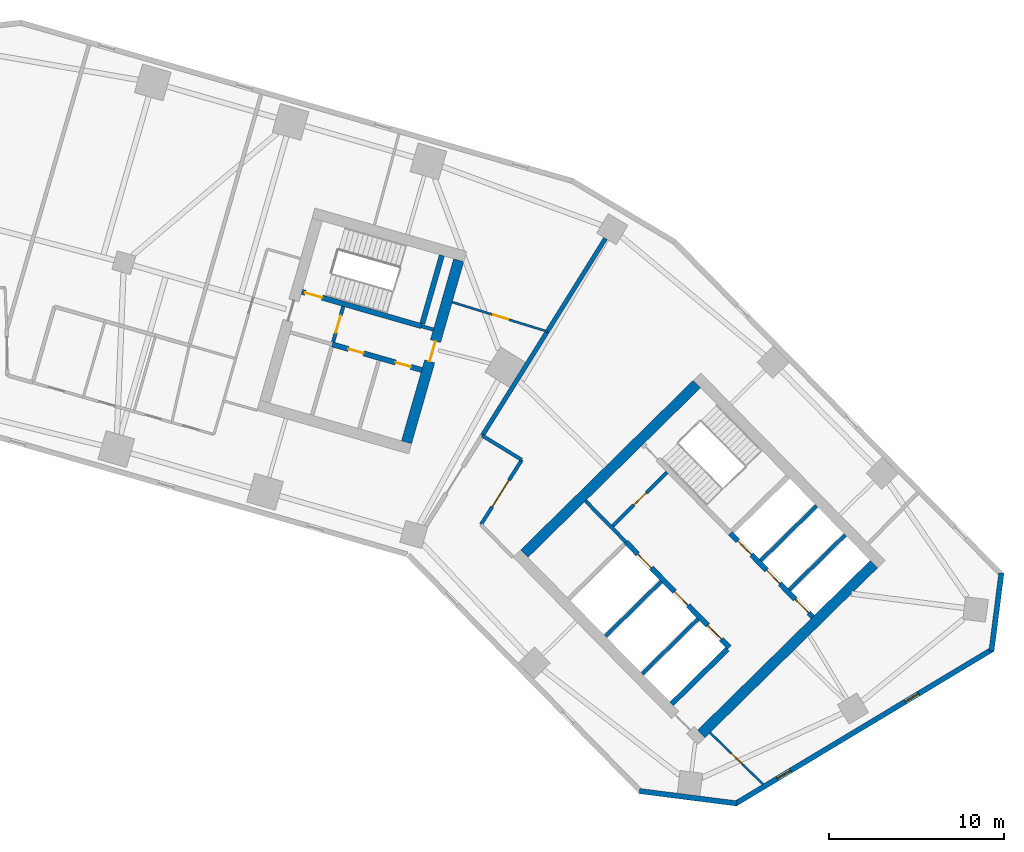
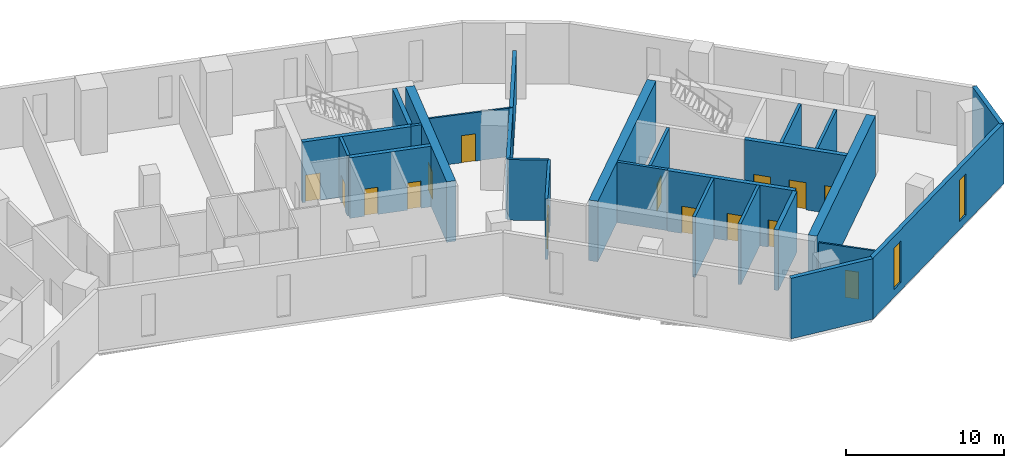
# One storey, part 6 of 10: 26 walls, 15 doors, 2 windows, 17 openings.
"""IFC4 building model written with IfcOpenShell, lengths in metres."""

from ifc_helpers import new_model, si_unit, direction, frame, frame_2d, origin, place, context, subcontext, project, spatial, rectangle, extrude, material, layer, layer_set, type_object, element, fill, save


model = new_model("IFC4")

# Units and contexts
model_context = context("Model", 3, precision=1e-05, world=origin(), true_north=direction((0.0, 1.0)))
body_context = subcontext(model_context, "Body", "Model", "MODEL_VIEW")
ifc_project = project(units=[si_unit("LENGTHUNIT", "METRE"), si_unit("AREAUNIT", "SQUARE_METRE"), si_unit("VOLUMEUNIT", "CUBIC_METRE"), si_unit("PLANEANGLEUNIT", "RADIAN"), si_unit("MASSUNIT", "GRAM", prefix="KILO")], contexts=[model_context])

# Site, building, storey
site_placement = place(None, origin())
site = spatial("IfcSite", under=ifc_project, at=site_placement, CompositionType="ELEMENT")
building_placement = place(site_placement, origin())
building = spatial("IfcBuilding", under=site, at=building_placement, Name="Binnacle Exchange Tower", CompositionType="ELEMENT")
storey_placement = place(building_placement, frame((0.0, 0.0, 71.5)))
storey = spatial("IfcBuildingStorey", under=building, at=storey_placement, Name="L14", CompositionType="ELEMENT", Elevation=71.5)

# Wall, openings, doors
ifc_material_1 = material(Name="Concrete C70/85", Category="concrete")
ifc_layer_1 = layer(ifc_material_1, 0.300048828125)
ifc_layer_set_1 = layer_set([ifc_layer_1], Name="Core wall - front 300")
wall_type_1 = type_object("IfcWallType", Name="Core wall - front 300", PredefinedType="SOLIDWALL", material=ifc_layer_set_1)
wall_1_placement = place(storey_placement, frame((37.8740234375, 41.41552734375, 0.0), z_axis=(0.0, 0.0, 1.0), x_axis=(0.700918271237, -0.71324159795, 0.0)))
wall_1 = element("IfcWall", 1, at=wall_1_placement, inside=storey, type_object=wall_type_1, Name="Core wall CRWB3", PredefinedType="SOLIDWALL", context=body_context, shape_type="SweptSolid", body=[
    extrude(rectangle(XDim=8.39990234375, YDim=0.300048828125, at=frame_2d((4.199951171875, 0.0))), origin(), (0.0, 0.0, 1.0), 4.679931640625),
])
opening_1_placement = place(wall_1_placement, frame((0.949951171875, 0.0, 0.0)))
opening_1 = element("IfcOpeningElement", 2, at=opening_1_placement, cuts=wall_1, Name="Opening LD15", PredefinedType="OPENING", context=body_context, shape_type="SweptSolid", body=[
    extrude(rectangle(XDim=1.10009765625, YDim=2.10009765625, at=frame_2d((0.550048828125, 1.050048828125))), frame((0.0, 0.159912109375, 0.0), z_axis=(0.0, -1.0, 0.0), x_axis=(1.0, 0.0, 0.0)), (0.0, 0.0, 1.0), 0.320068359375),
])
opening_2_placement = place(wall_1_placement, frame((3.949951171875, 0.0, 0.0)))
opening_2 = element("IfcOpeningElement", 3, at=opening_2_placement, cuts=wall_1, Name="Opening LD16", PredefinedType="OPENING", context=body_context, shape_type="SweptSolid", body=[
    extrude(rectangle(XDim=1.10009765625, YDim=2.10009765625, at=frame_2d((0.550048828125, 1.050048828125))), frame((0.0, 0.159912109375, 0.0), z_axis=(0.0, -1.0, 0.0), x_axis=(1.0, 0.0, 0.0)), (0.0, 0.0, 1.0), 0.320068359375),
])
opening_3_placement = place(wall_1_placement, frame((6.64990234375, 0.0, 0.0)))
opening_3 = element("IfcOpeningElement", 4, at=opening_3_placement, cuts=wall_1, Name="Opening LD4", PredefinedType="OPENING", context=body_context, shape_type="SweptSolid", body=[
    extrude(rectangle(XDim=1.10009765625, YDim=2.10009765625, at=frame_2d((0.550048828125, 1.050048828125))), frame((0.0, 0.159912109375, 0.0), z_axis=(0.0, -1.0, 0.0), x_axis=(1.0, 0.0, 0.0)), (0.0, 0.0, 1.0), 0.320068359375),
])
ifc_material_2 = material(Name="Steel door leaf", Category="steel")
door_type_1 = type_object("IfcDoorType", Name="Fire door - lift landing 1100", OperationType="NOTDEFINED", PredefinedType="DOOR", material=ifc_material_2)
door_1_placement = place(opening_1_placement, origin())
door_1 = element("IfcDoor", 5, at=door_1_placement, inside=storey, type_object=door_type_1, Name="Landing door LD15 L14", OperationType="DOUBLE_DOOR_SLIDING", OverallHeight=2.10009765625, OverallWidth=1.10009765625, PredefinedType="DOOR", context=body_context, shape_type="SweptSolid", body=[
    extrude(rectangle(XDim=1.10009765625, YDim=2.10009765625, at=frame_2d((0.550048828125, 1.050048828125))), frame((0.0, 0.02490234375, 0.0), z_axis=(0.0, -1.0, 0.0), x_axis=(1.0, 0.0, 0.0)), (0.0, 0.0, 1.0), 0.050048828125),
])
fill(opening_1, door_1)
door_2_placement = place(opening_2_placement, origin())
door_2 = element("IfcDoor", 6, at=door_2_placement, inside=storey, type_object=door_type_1, Name="Landing door LD16 L14", OperationType="DOUBLE_DOOR_SLIDING", OverallHeight=2.10009765625, OverallWidth=1.10009765625, PredefinedType="DOOR", context=body_context, shape_type="SweptSolid", body=[
    extrude(rectangle(XDim=1.10009765625, YDim=2.10009765625, at=frame_2d((0.550048828125, 1.050048828125))), frame((0.0, 0.02490234375, 0.0), z_axis=(0.0, -1.0, 0.0), x_axis=(1.0, 0.0, 0.0)), (0.0, 0.0, 1.0), 0.050048828125),
])
fill(opening_2, door_2)
door_3_placement = place(opening_3_placement, origin())
door_3 = element("IfcDoor", 7, at=door_3_placement, inside=storey, type_object=door_type_1, Name="Landing door LD4 L14", OperationType="DOUBLE_DOOR_SLIDING", OverallHeight=2.10009765625, OverallWidth=1.10009765625, PredefinedType="DOOR", context=body_context, shape_type="SweptSolid", body=[
    extrude(rectangle(XDim=1.10009765625, YDim=2.10009765625, at=frame_2d((0.550048828125, 1.050048828125))), frame((0.0, 0.02490234375, 0.0), z_axis=(0.0, -1.0, 0.0), x_axis=(1.0, 0.0, 0.0)), (0.0, 0.0, 1.0), 0.050048828125),
])
fill(opening_3, door_3)

wall_2_placement = place(storey_placement, frame((43.818603515625, 41.92919921875, 0.0), z_axis=(0.0, 0.0, 1.0), x_axis=(0.700921619155, -0.713238307862, 0.0)))
wall_2 = element("IfcWall", 8, at=wall_2_placement, inside=storey, type_object=wall_type_1, Name="Core wall CRWB5", PredefinedType="SOLIDWALL", context=body_context, shape_type="SweptSolid", body=[
    extrude(rectangle(XDim=6.69970703125, YDim=0.300048828125, at=frame_2d((3.349853515625, 0.0))), origin(), (0.0, 0.0, 1.0), 4.679931640625),
])
opening_4_placement = place(wall_2_placement, frame((0.614990234375, 0.0, 0.0)))
opening_4 = element("IfcOpeningElement", 9, at=opening_4_placement, cuts=wall_2, Name="Opening LD1", PredefinedType="OPENING", context=body_context, shape_type="SweptSolid", body=[
    extrude(rectangle(XDim=1.10009765625, YDim=2.10009765625, at=frame_2d((0.550048828125, 1.050048828125))), frame((0.0, 0.159912109375, 0.0), z_axis=(0.0, -1.0, 0.0), x_axis=(1.0, 0.0, 0.0)), (0.0, 0.0, 1.0), 0.320068359375),
])
opening_5_placement = place(wall_2_placement, frame((2.945068359375, 0.0, 0.0)))
opening_5 = element("IfcOpeningElement", 10, at=opening_5_placement, cuts=wall_2, Name="Opening LD2", PredefinedType="OPENING", context=body_context, shape_type="SweptSolid", body=[
    extrude(rectangle(XDim=1.10009765625, YDim=2.10009765625, at=frame_2d((0.550048828125, 1.050048828125))), frame((0.0, 0.159912109375, 0.0), z_axis=(0.0, -1.0, 0.0), x_axis=(1.0, 0.0, 0.0)), (0.0, 0.0, 1.0), 0.320068359375),
])
opening_6_placement = place(wall_2_placement, frame((5.280029296875, 0.0, 0.0)))
opening_6 = element("IfcOpeningElement", 11, at=opening_6_placement, cuts=wall_2, Name="Opening LD3", PredefinedType="OPENING", context=body_context, shape_type="SweptSolid", body=[
    extrude(rectangle(XDim=1.10009765625, YDim=2.10009765625, at=frame_2d((0.550048828125, 1.050048828125))), frame((0.0, 0.159912109375, 0.0), z_axis=(0.0, -1.0, 0.0), x_axis=(1.0, 0.0, 0.0)), (0.0, 0.0, 1.0), 0.320068359375),
])
door_4_placement = place(opening_4_placement, origin())
door_4 = element("IfcDoor", 12, at=door_4_placement, inside=storey, type_object=door_type_1, Name="Landing door LD1 L14", OperationType="DOUBLE_DOOR_SLIDING", OverallHeight=2.10009765625, OverallWidth=1.10009765625, PredefinedType="DOOR", context=body_context, shape_type="SweptSolid", body=[
    extrude(rectangle(XDim=1.10009765625, YDim=2.10009765625, at=frame_2d((0.550048828125, 1.050048828125))), frame((0.0, 0.02490234375, 0.0), z_axis=(0.0, -1.0, 0.0), x_axis=(1.0, 0.0, 0.0)), (0.0, 0.0, 1.0), 0.050048828125),
])
fill(opening_4, door_4)
door_5_placement = place(opening_5_placement, origin())
door_5 = element("IfcDoor", 13, at=door_5_placement, inside=storey, type_object=door_type_1, Name="Landing door LD2 L14", OperationType="DOUBLE_DOOR_SLIDING", OverallHeight=2.10009765625, OverallWidth=1.10009765625, PredefinedType="DOOR", context=body_context, shape_type="SweptSolid", body=[
    extrude(rectangle(XDim=1.10009765625, YDim=2.10009765625, at=frame_2d((0.550048828125, 1.050048828125))), frame((0.0, 0.02490234375, 0.0), z_axis=(0.0, -1.0, 0.0), x_axis=(1.0, 0.0, 0.0)), (0.0, 0.0, 1.0), 0.050048828125),
])
fill(opening_5, door_5)
door_6_placement = place(opening_6_placement, origin())
door_6 = element("IfcDoor", 14, at=door_6_placement, inside=storey, type_object=door_type_1, Name="Landing door LD3 L14", OperationType="DOUBLE_DOOR_SLIDING", OverallHeight=2.10009765625, OverallWidth=1.10009765625, PredefinedType="DOOR", context=body_context, shape_type="SweptSolid", body=[
    extrude(rectangle(XDim=1.10009765625, YDim=2.10009765625, at=frame_2d((0.550048828125, 1.050048828125))), frame((0.0, 0.02490234375, 0.0), z_axis=(0.0, -1.0, 0.0), x_axis=(1.0, 0.0, 0.0)), (0.0, 0.0, 1.0), 0.050048828125),
])
fill(opening_6, door_6)

# Wall
wall_3_placement = place(storey_placement, frame((40.480712890625, 32.199951171875, 0.0), z_axis=(0.0, 0.0, 1.0), x_axis=(0.713251741427, 0.700907949271, 0.0)))
element("IfcWall", 15, at=wall_3_placement, inside=storey, type_object=wall_type_1, Name="Core wall CRWB14", PredefinedType="SOLIDWALL", context=body_context, shape_type="SweptSolid", body=[
    extrude(rectangle(XDim=4.4501953125, YDim=0.300048828125, at=frame_2d((2.22509765625, 0.0))), origin(), (0.0, 0.0, 1.0), 4.679931640625),
])

# Wall, openings, doors
wall_4_placement = place(storey_placement, frame((21.130859375, 52.6923828125, 0.0), z_axis=(0.0, 0.0, 1.0), x_axis=(0.961271492568, -0.275603188616, 0.0)))
wall_4 = element("IfcWall", 16, at=wall_4_placement, inside=storey, type_object=wall_type_1, Name="Core wall CRWD3", PredefinedType="SOLIDWALL", context=body_context, shape_type="SweptSolid", body=[
    extrude(rectangle(XDim=5.300048828125, YDim=0.300048828125, at=frame_2d((2.64990234375, 0.0))), origin(), (0.0, 0.0, 1.0), 4.679931640625),
])
opening_7_placement = place(wall_4_placement, frame((0.949951171875, 0.0, 0.0)))
opening_7 = element("IfcOpeningElement", 17, at=opening_7_placement, cuts=wall_4, Name="Opening DD10", PredefinedType="OPENING", context=body_context, shape_type="SweptSolid", body=[
    extrude(rectangle(XDim=0.89990234375, YDim=2.10009765625, at=frame_2d((0.449951171875, 1.050048828125))), frame((0.0, 0.159912109375, 0.0), z_axis=(0.0, -1.0, 0.0), x_axis=(1.0, 0.0, 0.0)), (0.0, 0.0, 1.0), 0.320068359375),
])
opening_8_placement = place(wall_4_placement, frame((3.75, 0.0, 0.0)))
opening_8 = element("IfcOpeningElement", 18, at=opening_8_placement, cuts=wall_4, Name="Opening DD11", PredefinedType="OPENING", context=body_context, shape_type="SweptSolid", body=[
    extrude(rectangle(XDim=0.89990234375, YDim=2.10009765625, at=frame_2d((0.449951171875, 1.050048828125))), frame((0.0, 0.159912109375, 0.0), z_axis=(0.0, -1.0, 0.0), x_axis=(1.0, 0.0, 0.0)), (0.0, 0.0, 1.0), 0.320068359375),
])
door_type_2 = type_object("IfcDoorType", Name="Fire door 900", OperationType="NOTDEFINED", PredefinedType="DOOR", material=ifc_material_2)
door_7_placement = place(opening_7_placement, frame((0.89990234375, 0.0, 0.0), z_axis=(0.0, 0.0, 1.0), x_axis=(-1.0, 0.0, 0.0)))
door_7 = element("IfcDoor", 19, at=door_7_placement, inside=storey, type_object=door_type_2, Name="Core room door COMMS RISER ROOM", OperationType="SINGLE_SWING_RIGHT", OverallHeight=2.10009765625, OverallWidth=0.89990234375, PredefinedType="DOOR", context=body_context, shape_type="SweptSolid", body=[
    extrude(rectangle(XDim=0.89990234375, YDim=2.10009765625, at=frame_2d((0.449951171875, 1.050048828125))), frame((0.0, 0.02490234375, 0.0), z_axis=(0.0, -1.0, 0.0), x_axis=(1.0, 0.0, 0.0)), (0.0, 0.0, 1.0), 0.050048828125),
])
fill(opening_7, door_7)
door_8_placement = place(opening_8_placement, frame((0.89990234375, 0.0, 0.0), z_axis=(0.0, 0.0, 1.0), x_axis=(-1.0, 0.0, 0.0)))
door_8 = element("IfcDoor", 20, at=door_8_placement, inside=storey, type_object=door_type_2, Name="Core room door CLEANERS STORE", OperationType="SINGLE_SWING_LEFT", OverallHeight=2.10009765625, OverallWidth=0.89990234375, PredefinedType="DOOR", context=body_context, shape_type="SweptSolid", body=[
    extrude(rectangle(XDim=0.89990234375, YDim=2.10009765625, at=frame_2d((0.449951171875, 1.050048828125))), frame((0.0, 0.02490234375, 0.0), z_axis=(0.0, -1.0, 0.0), x_axis=(1.0, 0.0, 0.0)), (0.0, 0.0, 1.0), 0.050048828125),
])
fill(opening_8, door_8)

# Walls
ifc_layer_2 = layer(ifc_material_1, 0.60009765625)
ifc_layer_set_2 = layer_set([ifc_layer_2], Name="Core wall - outer 600")
wall_type_2 = type_object("IfcWallType", Name="Core wall - outer 600", PredefinedType="SOLIDWALL", material=ifc_layer_set_2)
for number, where, z_axis, x_axis, name in (
    (21, (32.06982421875, 40.759033203125, 0.0), (0.0, 0.0, 1.0), (0.713245344712, 0.70091445858, 0.0), "Core wall CRWB7"),
    (22, (42.1630859375, 30.48828125, 0.0), (0.0, 0.0, 1.0), (0.713245344712, 0.70091445858, 0.0), "Core wall CRWB16"),
):
    element("IfcWall", number, at=place(storey_placement, frame(where, z_axis=z_axis, x_axis=x_axis)), inside=storey, type_object=wall_type_2, Name=name, PredefinedType="SOLIDWALL", context=body_context, shape_type="SweptSolid", body=[
        extrude(rectangle(XDim=13.800048828125, YDim=0.60009765625, at=frame_2d((6.89990234375, 0.0))), origin(), (0.0, 0.0, 1.0), 4.679931640625),
    ])

# Wall, opening, door
wall_5_placement = place(storey_placement, frame((25.356201171875, 47.111572265625, 0.0), z_axis=(0.0, 0.0, 1.0), x_axis=(0.275631631629, 0.961263337304, 0.0)))
wall_5 = element("IfcWall", 23, at=wall_5_placement, inside=storey, type_object=wall_type_2, Name="Core wall CRWD12", PredefinedType="SOLIDWALL", context=body_context, shape_type="SweptSolid", body=[
    extrude(rectangle(XDim=10.800048828125, YDim=0.60009765625, at=frame_2d((5.39990234375, 0.0))), origin(), (0.0, 0.0, 1.0), 4.679931640625),
])
opening_9_placement = place(wall_5_placement, frame((4.800048828125, 0.0, 0.0)))
opening_9 = element("IfcOpeningElement", 24, at=opening_9_placement, cuts=wall_5, Name="Opening DD6", PredefinedType="OPENING", context=body_context, shape_type="SweptSolid", body=[
    extrude(rectangle(XDim=1.199951171875, YDim=2.10009765625, at=frame_2d((0.60009765625, 1.050048828125))), frame((0.0, 0.31005859375, 0.0), z_axis=(0.0, -1.0, 0.0), x_axis=(1.0, 0.0, 0.0)), (0.0, 0.0, 1.0), 0.6201171875),
])
door_type_3 = type_object("IfcDoorType", Name="Fire door 1200", OperationType="NOTDEFINED", PredefinedType="DOOR", material=ifc_material_2)
door_9_placement = place(opening_9_placement, frame((1.199951171875, 0.0, 0.0), z_axis=(0.0, 0.0, 1.0), x_axis=(-1.0, 0.0, 0.0)))
door_9 = element("IfcDoor", 25, at=door_9_placement, inside=storey, type_object=door_type_3, Name="Core passage exit door", OperationType="SINGLE_SWING_LEFT", OverallHeight=2.10009765625, OverallWidth=1.199951171875, PredefinedType="DOOR", context=body_context, shape_type="SweptSolid", body=[
    extrude(rectangle(XDim=1.199951171875, YDim=2.10009765625, at=frame_2d((0.60009765625, 1.050048828125))), frame((0.0, 0.02490234375, 0.0), z_axis=(0.0, -1.0, 0.0), x_axis=(1.0, 0.0, 0.0)), (0.0, 0.0, 1.0), 0.050048828125),
])
fill(opening_9, door_9)

ifc_layer_3 = layer(ifc_material_1, 0.300048828125)
ifc_layer_set_3 = layer_set([ifc_layer_3], Name="Core wall - stair 300")
wall_type_3 = type_object("IfcWallType", Name="Core wall - stair 300", PredefinedType="SOLIDWALL", material=ifc_layer_set_3)
wall_6_placement = place(storey_placement, frame((19.38916015625, 55.688720703125, 0.0), z_axis=(0.0, 0.0, 1.0), x_axis=(0.961261397636, -0.275638396117, 0.0)))
wall_6 = element("IfcWall", 26, at=wall_6_placement, inside=storey, type_object=wall_type_3, Name="Core wall CRWD4", PredefinedType="SOLIDWALL", context=body_context, shape_type="SweptSolid", body=[
    extrude(rectangle(XDim=7.10009765625, YDim=0.300048828125, at=frame_2d((3.550048828125, 0.0))), origin(), (0.0, 0.0, 1.0), 4.679931640625),
])
opening_10_placement = place(wall_6_placement, frame((0.199951171875, 0.0, 0.0)))
opening_10 = element("IfcOpeningElement", 27, at=opening_10_placement, cuts=wall_6, Name="Opening DD1", PredefinedType="OPENING", context=body_context, shape_type="SweptSolid", body=[
    extrude(rectangle(XDim=1.0, YDim=2.10009765625, at=frame_2d((0.5, 1.050048828125))), frame((0.0, 0.159912109375, 0.0), z_axis=(0.0, -1.0, 0.0), x_axis=(1.0, 0.0, 0.0)), (0.0, 0.0, 1.0), 0.320068359375),
])
door_type_4 = type_object("IfcDoorType", Name="Fire door 1000", OperationType="NOTDEFINED", PredefinedType="DOOR", material=ifc_material_2)
door_10_placement = place(opening_10_placement, origin())
door_10 = element("IfcDoor", 28, at=door_10_placement, inside=storey, type_object=door_type_4, Name="Stair door ST-D1", OperationType="SINGLE_SWING_LEFT", OverallHeight=2.10009765625, OverallWidth=1.0, PredefinedType="DOOR", context=body_context, shape_type="SweptSolid", body=[
    extrude(rectangle(XDim=1.0, YDim=2.10009765625, at=frame_2d((0.5, 1.050048828125))), frame((0.0, 0.02490234375, 0.0), z_axis=(0.0, -1.0, 0.0), x_axis=(1.0, 0.0, 0.0)), (0.0, 0.0, 1.0), 0.050048828125),
])
fill(opening_10, door_10)

# Walls
wall_7_placement = place(storey_placement, frame((26.255615234375, 53.875732421875, 0.0), z_axis=(0.0, 0.0, 1.0), x_axis=(0.275612739511, 0.961268754209, 0.0)))
element("IfcWall", 29, at=wall_7_placement, inside=storey, type_object=wall_type_3, Name="Core wall CRWD11", PredefinedType="SOLIDWALL", context=body_context, shape_type="SweptSolid", body=[
    extrude(rectangle(XDim=4.0498046875, YDim=0.300048828125, at=frame_2d((2.02490234375, 0.0))), origin(), (0.0, 0.0, 1.0), 4.679931640625),
])
ifc_material_3 = material(Name="Bronze aluminium cladding", Category="aluminium")
ifc_layer_4 = layer(ifc_material_3, 0.300048828125)
ifc_layer_set_4 = layer_set([ifc_layer_4], Name="External wall - spandrel 300")
wall_type_4 = type_object("IfcWallType", Name="External wall - spandrel 300", PredefinedType="STANDARD", material=ifc_layer_set_4)
wall_8_placement = place(storey_placement, frame((44.19580078125, 26.517822265625, 0.0), z_axis=(0.0, 0.0, 1.0), x_axis=(-0.992001881269, 0.126223086474, 0.0)))
element("IfcWall", 30, at=wall_8_placement, inside=storey, type_object=wall_type_4, Name="External wall EW-F10 L14", PredefinedType="STANDARD", context=body_context, shape_type="SweptSolid", body=[
    extrude(rectangle(XDim=5.6015625, YDim=0.300048828125, at=frame_2d((2.80078125, 0.0))), origin(), (0.0, 0.0, 1.0), 4.679931640625),
])

# Wall, openings, windows
wall_9_placement = place(storey_placement, frame((58.7783203125, 35.317626953125, 0.0), z_axis=(0.0, 0.0, 1.0), x_axis=(-0.857168206138, -0.515036568009, 0.0)))
wall_9 = element("IfcWall", 31, at=wall_9_placement, inside=storey, type_object=wall_type_4, Name="External wall EW-F11 L14", PredefinedType="STANDARD", context=body_context, shape_type="SweptSolid", body=[
    extrude(rectangle(XDim=17.124755859375, YDim=0.300048828125, at=frame_2d((8.5625, 0.0))), origin(), (0.0, 0.0, 1.0), 4.679931640625),
])
opening_11_placement = place(wall_9_placement, frame((13.435302734375, 0.0, 0.60009765625)))
opening_11 = element("IfcOpeningElement", 32, at=opening_11_placement, cuts=wall_9, Name="Opening WS1", PredefinedType="OPENING", context=body_context, shape_type="SweptSolid", body=[
    extrude(rectangle(XDim=0.89990234375, YDim=3.199951171875, at=frame_2d((0.449951171875, 1.60009765625))), frame((0.0, 0.159912109375, 0.0), z_axis=(0.0, -1.0, 0.0), x_axis=(1.0, 0.0, 0.0)), (0.0, 0.0, 1.0), 0.320068359375),
])
opening_12_placement = place(wall_9_placement, frame((4.935302734375, 0.0, 0.60009765625)))
opening_12 = element("IfcOpeningElement", 33, at=opening_12_placement, cuts=wall_9, Name="Opening WS1", PredefinedType="OPENING", context=body_context, shape_type="SweptSolid", body=[
    extrude(rectangle(XDim=0.89990234375, YDim=3.199951171875, at=frame_2d((0.449951171875, 1.60009765625))), frame((0.0, 0.159912109375, 0.0), z_axis=(0.0, -1.0, 0.0), x_axis=(1.0, 0.0, 0.0)), (0.0, 0.0, 1.0), 0.320068359375),
])
ifc_material_4 = material(Name="Bronze anodised aluminium frame", Category="aluminium")
window_type = type_object("IfcWindowType", Name="WS1 WINDOW 900x3200", PartitioningType="SINGLE_PANEL", PredefinedType="WINDOW", material=ifc_material_4)
window_1_placement = place(opening_11_placement, origin())
window_1 = element("IfcWindow", 34, at=window_1_placement, inside=storey, type_object=window_type, Name="Window WS1 L14", OverallHeight=3.199951171875, OverallWidth=0.89990234375, PartitioningType="SINGLE_PANEL", PredefinedType="WINDOW", context=body_context, shape_type="SweptSolid", body=[
    extrude(rectangle(XDim=0.89990234375, YDim=3.199951171875, at=frame_2d((0.449951171875, 1.60009765625))), frame((0.0, 0.030029296875, 0.0), z_axis=(0.0, -1.0, 0.0), x_axis=(1.0, 0.0, 0.0)), (0.0, 0.0, 1.0), 0.06005859375),
])
fill(opening_11, window_1)
window_2_placement = place(opening_12_placement, origin())
window_2 = element("IfcWindow", 35, at=window_2_placement, inside=storey, type_object=window_type, Name="Window WS1 L14", OverallHeight=3.199951171875, OverallWidth=0.89990234375, PartitioningType="SINGLE_PANEL", PredefinedType="WINDOW", context=body_context, shape_type="SweptSolid", body=[
    extrude(rectangle(XDim=0.89990234375, YDim=3.199951171875, at=frame_2d((0.449951171875, 1.60009765625))), frame((0.0, 0.030029296875, 0.0), z_axis=(0.0, -1.0, 0.0), x_axis=(1.0, 0.0, 0.0)), (0.0, 0.0, 1.0), 0.06005859375),
])
fill(opening_12, window_2)

# Wall
wall_10_placement = place(storey_placement, frame((59.27197265625, 39.6513671875, 0.0), z_axis=(0.0, 0.0, 1.0), x_axis=(-0.126181137886, -0.992007217938, 0.0)))
element("IfcWall", 36, at=wall_10_placement, inside=storey, type_object=wall_type_4, Name="External wall EW-F12 L14", PredefinedType="STANDARD", context=body_context, shape_type="SweptSolid", body=[
    extrude(rectangle(XDim=4.479248046875, YDim=0.300048828125, at=frame_2d((2.23974609375, 0.0))), origin(), (0.0, 0.0, 1.0), 4.679931640625),
])

# Wall, opening, door
ifc_material_5 = material(Name="Masonry block wall", Category="masonry")
ifc_layer_5 = layer(ifc_material_5, 0.199951171875)
ifc_layer_set_5 = layer_set([ifc_layer_5], Name="Fire wall - block 200")
wall_type_5 = type_object("IfcWallType", Name="Fire wall - block 200", PredefinedType="PARTITIONING", material=ifc_layer_set_5)
wall_11_placement = place(storey_placement, frame((29.60009765625, 42.416015625, 0.0), z_axis=(0.0, 0.0, 1.0), x_axis=(0.533582711531, 0.84574788794, 0.0)))
wall_11 = element("IfcWall", 37, at=wall_11_placement, inside=storey, type_object=wall_type_5, Name="Partition W39", PredefinedType="PARTITIONING", context=body_context, shape_type="SweptSolid", body=[
    extrude(rectangle(XDim=4.366455078125, YDim=0.199951171875, at=frame_2d((2.18310546875, 0.0))), origin(), (0.0, 0.0, 1.0), 4.679931640625),
])
opening_13_placement = place(wall_11_placement, frame((1.199951171875, 0.0, 0.0)))
opening_13 = element("IfcOpeningElement", 38, at=opening_13_placement, cuts=wall_11, Name="Opening DL14-12", PredefinedType="OPENING", context=body_context, shape_type="SweptSolid", body=[
    extrude(rectangle(XDim=1.800048828125, YDim=2.10009765625, at=frame_2d((0.89990234375, 1.050048828125))), frame((0.0, 0.10986328125, 0.0), z_axis=(0.0, -1.0, 0.0), x_axis=(1.0, 0.0, 0.0)), (0.0, 0.0, 1.0), 0.219970703125),
])
door_type_5 = type_object("IfcDoorType", Name="Fire door 1800", OperationType="NOTDEFINED", PredefinedType="DOOR", material=ifc_material_2)
door_11_placement = place(opening_13_placement, frame((1.800048828125, 0.0, 0.0), z_axis=(0.0, 0.0, 1.0), x_axis=(-1.0, 0.0, 0.0)))
door_11 = element("IfcDoor", 39, at=door_11_placement, inside=storey, type_object=door_type_5, Name="Door DL14-12", OperationType="DOUBLE_DOOR_SINGLE_SWING", OverallHeight=2.10009765625, OverallWidth=1.800048828125, PredefinedType="DOOR", context=body_context, shape_type="SweptSolid", body=[
    extrude(rectangle(XDim=1.800048828125, YDim=2.10009765625, at=frame_2d((0.89990234375, 1.050048828125))), frame((0.0, 0.02490234375, 0.0), z_axis=(0.0, -1.0, 0.0), x_axis=(1.0, 0.0, 0.0)), (0.0, 0.0, 1.0), 0.050048828125),
])
fill(opening_13, door_11)

# Walls
wall_12_placement = place(storey_placement, frame((29.675048828125, 47.490966796875, 0.0), z_axis=(0.0, 0.0, 1.0), x_axis=(0.852591965232, -0.522577210392, 0.0)))
element("IfcWall", 40, at=wall_12_placement, inside=storey, type_object=wall_type_5, Name="Partition W40", PredefinedType="PARTITIONING", context=body_context, shape_type="SweptSolid", body=[
    extrude(rectangle(XDim=2.644775390625, YDim=0.199951171875, at=frame_2d((1.322265625, 0.0))), origin(), (0.0, 0.0, 1.0), 4.679931640625),
])
ifc_material_6 = material(Name="Concrete fire wall C30/37", Category="concrete")
ifc_layer_6 = layer(ifc_material_6, 0.25)
ifc_layer_set_6 = layer_set([ifc_layer_6], Name="Fire wall - compartment 250")
wall_type_6 = type_object("IfcWallType", Name="Fire wall - compartment 250", PredefinedType="PARTITIONING", material=ifc_layer_set_6)
wall_13_placement = place(storey_placement, frame((29.675048828125, 47.490966796875, 0.0), z_axis=(0.0, 0.0, 1.0), x_axis=(0.529992669945, 0.848002222759, 0.0)))
element("IfcWall", 41, at=wall_13_placement, inside=storey, type_object=wall_type_6, Name="Fire Wall W41", PredefinedType="PARTITIONING", context=body_context, shape_type="SweptSolid", body=[
    extrude(rectangle(XDim=7.0, YDim=0.25, at=frame_2d((3.5, 0.0))), origin(), (0.0, 0.0, 1.0), 3.741943359375),
])
wall_14_placement = place(storey_placement, frame((33.385009765625, 53.427001953125, 0.0), z_axis=(0.0, 0.0, 1.0), x_axis=(0.529897235032, 0.848061861131, 0.0)))
element("IfcWall", 42, at=wall_14_placement, inside=storey, type_object=wall_type_6, Name="Fire Wall W42", PredefinedType="PARTITIONING", context=body_context, shape_type="SweptSolid", body=[
    extrude(rectangle(XDim=6.257568359375, YDim=0.25, at=frame_2d((3.12890625, 0.0))), origin(), (0.0, 0.0, 1.0), 3.741943359375),
])

# Wall, opening, door
ifc_layer_7 = layer(ifc_material_5, 0.199951171875)
ifc_layer_set_7 = layer_set([ifc_layer_7], Name="Fire wall - vestibule 200")
wall_type_7 = type_object("IfcWallType", Name="Fire wall - vestibule 200", PredefinedType="PARTITIONING", material=ifc_layer_set_7)
wall_15_placement = place(storey_placement, frame((37.104248046875, 42.341552734375, 0.0), z_axis=(0.0, 0.0, 1.0), x_axis=(0.713281298468, 0.700877870428, 0.0)))
wall_15 = element("IfcWall", 43, at=wall_15_placement, inside=storey, type_object=wall_type_7, Name="Core wall CRWB8", PredefinedType="PARTITIONING", context=body_context, shape_type="SweptSolid", body=[
    extrude(rectangle(XDim=4.35009765625, YDim=0.199951171875, at=frame_2d((2.175048828125, 0.0))), origin(), (0.0, 0.0, 1.0), 4.679931640625),
])
opening_14_placement = place(wall_15_placement, frame((1.699951171875, 0.0, 0.0)))
opening_14 = element("IfcOpeningElement", 44, at=opening_14_placement, cuts=wall_15, Name="Opening DB3", PredefinedType="OPENING", context=body_context, shape_type="SweptSolid", body=[
    extrude(rectangle(XDim=1.0, YDim=2.10009765625, at=frame_2d((0.5, 1.050048828125))), frame((0.0, 0.10986328125, 0.0), z_axis=(0.0, -1.0, 0.0), x_axis=(1.0, 0.0, 0.0)), (0.0, 0.0, 1.0), 0.219970703125),
])
door_12_placement = place(opening_14_placement, origin())
door_12 = element("IfcDoor", 45, at=door_12_placement, inside=storey, type_object=door_type_4, Name="Vestibule door VEST-W", OperationType="SINGLE_SWING_RIGHT", OverallHeight=2.10009765625, OverallWidth=1.0, PredefinedType="DOOR", context=body_context, shape_type="SweptSolid", body=[
    extrude(rectangle(XDim=1.0, YDim=2.10009765625, at=frame_2d((0.5, 1.050048828125))), frame((0.0, 0.02490234375, 0.0), z_axis=(0.0, -1.0, 0.0), x_axis=(1.0, 0.0, 0.0)), (0.0, 0.0, 1.0), 0.050048828125),
])
fill(opening_14, door_12)

wall_16_placement = place(storey_placement, frame((21.172119140625, 52.836669921875, 0.0), z_axis=(0.0, 0.0, 1.0), x_axis=(0.275657676022, 0.961255868981, 0.0)))
wall_16 = element("IfcWall", 46, at=wall_16_placement, inside=storey, type_object=wall_type_7, Name="Core wall CRWD9", PredefinedType="PARTITIONING", context=body_context, shape_type="SweptSolid", body=[
    extrude(rectangle(XDim=2.099853515625, YDim=0.199951171875, at=frame_2d((1.0498046875, 0.0))), origin(), (0.0, 0.0, 1.0), 4.679931640625),
])
opening_15_placement = place(wall_16_placement, frame((0.550048828125, 0.0, 0.0)))
opening_15 = element("IfcOpeningElement", 47, at=opening_15_placement, cuts=wall_16, Name="Opening DD3", PredefinedType="OPENING", context=body_context, shape_type="SweptSolid", body=[
    extrude(rectangle(XDim=1.0, YDim=2.10009765625, at=frame_2d((0.5, 1.050048828125))), frame((0.0, 0.10986328125, 0.0), z_axis=(0.0, -1.0, 0.0), x_axis=(1.0, 0.0, 0.0)), (0.0, 0.0, 1.0), 0.219970703125),
])
door_13_placement = place(opening_15_placement, origin())
door_13 = element("IfcDoor", 48, at=door_13_placement, inside=storey, type_object=door_type_4, Name="Vestibule door VEST-W", OperationType="SINGLE_SWING_RIGHT", OverallHeight=2.10009765625, OverallWidth=1.0, PredefinedType="DOOR", context=body_context, shape_type="SweptSolid", body=[
    extrude(rectangle(XDim=1.0, YDim=2.10009765625, at=frame_2d((0.5, 1.050048828125))), frame((0.0, 0.02490234375, 0.0), z_axis=(0.0, -1.0, 0.0), x_axis=(1.0, 0.0, 0.0)), (0.0, 0.0, 1.0), 0.050048828125),
])
fill(opening_15, door_13)

ifc_material_7 = material(Name="Gypsum partition")
ifc_layer_8 = layer(ifc_material_7, 0.125)
ifc_layer_set_8 = layer_set([ifc_layer_8], Name="Partition 125")
wall_type_8 = type_object("IfcWallType", Name="Partition 125", PredefinedType="PARTITIONING", material=ifc_layer_set_8)
wall_17_placement = place(storey_placement, frame((27.9599609375, 55.10302734375, 0.0), z_axis=(0.0, 0.0, 1.0), x_axis=(0.955442775069, -0.29517639399, 0.0)))
wall_17 = element("IfcWall", 49, at=wall_17_placement, inside=storey, type_object=wall_type_8, Name="Partition W37", PredefinedType="PARTITIONING", context=body_context, shape_type="SweptSolid", body=[
    extrude(rectangle(XDim=5.677978515625, YDim=0.125, at=frame_2d((2.8388671875, 0.0))), origin(), (0.0, 0.0, 1.0), 3.748046875),
])
opening_16_placement = place(wall_17_placement, frame((2.449951171875, 0.0, 0.0)))
opening_16 = element("IfcOpeningElement", 50, at=opening_16_placement, cuts=wall_17, Name="Opening DL14-11", PredefinedType="OPENING", context=body_context, shape_type="SweptSolid", body=[
    extrude(rectangle(XDim=0.89990234375, YDim=2.10009765625, at=frame_2d((0.449951171875, 1.050048828125))), frame((0.0, 0.072509765625, 0.0), z_axis=(0.0, -1.0, 0.0), x_axis=(1.0, 0.0, 0.0)), (0.0, 0.0, 1.0), 0.14501953125),
])
ifc_material_8 = material(Name="Timber door leaf", Category="wood")
door_type_6 = type_object("IfcDoorType", Name="Door 900", OperationType="NOTDEFINED", PredefinedType="DOOR", material=ifc_material_8)
door_14_placement = place(opening_16_placement, origin())
door_14 = element("IfcDoor", 51, at=door_14_placement, inside=storey, type_object=door_type_6, Name="Door DL14-11", OperationType="SINGLE_SWING_RIGHT", OverallHeight=2.10009765625, OverallWidth=0.89990234375, PredefinedType="DOOR", context=body_context, shape_type="SweptSolid", body=[
    extrude(rectangle(XDim=0.89990234375, YDim=2.10009765625, at=frame_2d((0.449951171875, 1.050048828125))), frame((0.0, 0.02490234375, 0.0), z_axis=(0.0, -1.0, 0.0), x_axis=(1.0, 0.0, 0.0)), (0.0, 0.0, 1.0), 0.050048828125),
])
fill(opening_16, door_14)

wall_18_placement = place(storey_placement, frame((42.658935546875, 30.554931640625, 0.0), z_axis=(0.0, 0.0, 1.0), x_axis=(0.716925671772, -0.697149611743, 0.0)))
wall_18 = element("IfcWall", 52, at=wall_18_placement, inside=storey, type_object=wall_type_8, Name="Partition W43", PredefinedType="PARTITIONING", context=body_context, shape_type="SweptSolid", body=[
    extrude(rectangle(XDim=4.209716796875, YDim=0.125, at=frame_2d((2.10498046875, 0.0))), origin(), (0.0, 0.0, 1.0), 3.951904296875),
])
opening_17_placement = place(wall_18_placement, frame((1.699951171875, 0.0, 0.0)))
opening_17 = element("IfcOpeningElement", 53, at=opening_17_placement, cuts=wall_18, Name="Opening DL14-13", PredefinedType="OPENING", context=body_context, shape_type="SweptSolid", body=[
    extrude(rectangle(XDim=0.89990234375, YDim=2.10009765625, at=frame_2d((0.449951171875, 1.050048828125))), frame((0.0, 0.072509765625, 0.0), z_axis=(0.0, -1.0, 0.0), x_axis=(1.0, 0.0, 0.0)), (0.0, 0.0, 1.0), 0.14501953125),
])
door_15_placement = place(opening_17_placement, origin())
door_15 = element("IfcDoor", 54, at=door_15_placement, inside=storey, type_object=door_type_6, Name="Door DL14-13", OperationType="SINGLE_SWING_RIGHT", OverallHeight=2.10009765625, OverallWidth=0.89990234375, PredefinedType="DOOR", context=body_context, shape_type="SweptSolid", body=[
    extrude(rectangle(XDim=0.89990234375, YDim=2.10009765625, at=frame_2d((0.449951171875, 1.050048828125))), frame((0.0, 0.02490234375, 0.0), z_axis=(0.0, -1.0, 0.0), x_axis=(1.0, 0.0, 0.0)), (0.0, 0.0, 1.0), 0.050048828125),
])
fill(opening_17, door_15)

# Walls
ifc_layer_9 = layer(ifc_material_5, 0.199951171875)
ifc_layer_set_9 = layer_set([ifc_layer_9], Name="Riser wall 200")
wall_type_9 = type_object("IfcWallType", Name="Riser wall 200", PredefinedType="SOLIDWALL", material=ifc_layer_set_9)
wall_19_placement = place(storey_placement, frame((35.56103515625, 43.769287109375, 0.0), z_axis=(0.0, 0.0, 1.0), x_axis=(0.70090232736, -0.713257266, 0.0)))
element("IfcWall", 55, at=wall_19_placement, inside=storey, type_object=wall_type_9, Name="Core wall CRWB2", PredefinedType="SOLIDWALL", context=body_context, shape_type="SweptSolid", body=[
    extrude(rectangle(XDim=3.300048828125, YDim=0.199951171875, at=frame_2d((1.64990234375, 0.0))), origin(), (0.0, 0.0, 1.0), 4.679931640625),
])
wall_20_placement = place(storey_placement, frame((26.214111328125, 53.731689453125, 0.0), z_axis=(0.0, 0.0, 1.0), x_axis=(0.96122076476, -0.27578005982, 0.0)))
element("IfcWall", 56, at=wall_20_placement, inside=storey, type_object=wall_type_9, Name="Core wall CRWD5", PredefinedType="SOLIDWALL", context=body_context, shape_type="SweptSolid", body=[
    extrude(rectangle(XDim=0.7001953125, YDim=0.199951171875, at=frame_2d((0.35009765625, 0.0))), origin(), (0.0, 0.0, 1.0), 4.679931640625),
])
ifc_layer_10 = layer(ifc_material_5, 0.199951171875)
ifc_layer_set_10 = layer_set([ifc_layer_10], Name="Shaft wall 200")
wall_type_10 = type_object("IfcWallType", Name="Shaft wall 200", PredefinedType="SOLIDWALL", material=ifc_layer_set_10)
for number, where, z_axis, x_axis, name in (
    (57, (36.69580078125, 36.051513671875, 0.0), (0.0, 0.0, 1.0), (0.713251741427, 0.700907949271, 0.0), "Core wall CRWB10"),
    (58, (38.798583984375, 33.911865234375, 0.0), (0.0, 0.0, 1.0), (0.713251741427, 0.700907949271, 0.0), "Core wall CRWB12"),
    (59, (45.55859375, 40.37255859375, 0.0), (0.0, 0.0, 1.0), (0.713251741427, 0.700907949271, 0.0), "Core wall CRWB13"),
    (60, (47.191650390625, 38.710693359375, 0.0), (0.0, 0.0, 1.0), (0.713251741427, 0.700907949271, 0.0), "Core wall CRWB15"),
):
    element("IfcWall", number, at=place(storey_placement, frame(where, z_axis=z_axis, x_axis=x_axis)), inside=storey, type_object=wall_type_10, Name=name, PredefinedType="SOLIDWALL", context=body_context, shape_type="SweptSolid", body=[
        extrude(rectangle(XDim=4.4501953125, YDim=0.199951171875, at=frame_2d((2.22509765625, 0.0))), origin(), (0.0, 0.0, 1.0), 4.679931640625),
    ])

save(model, "model.ifc")
